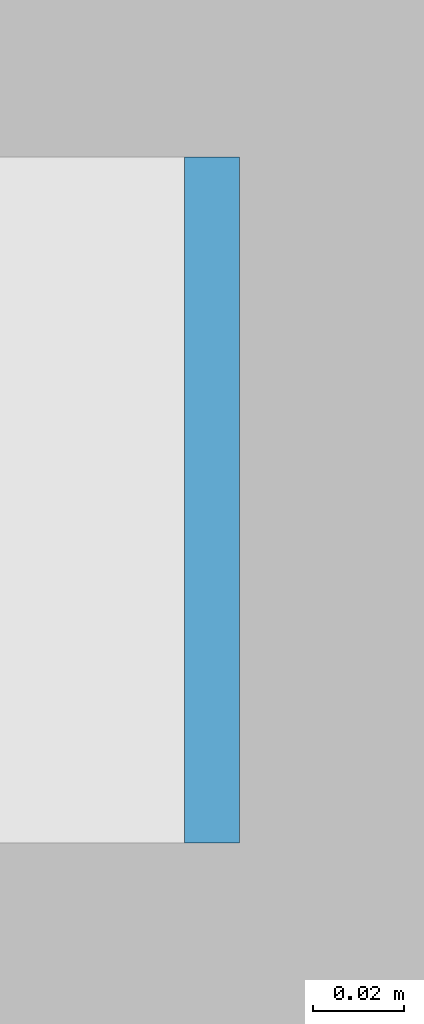
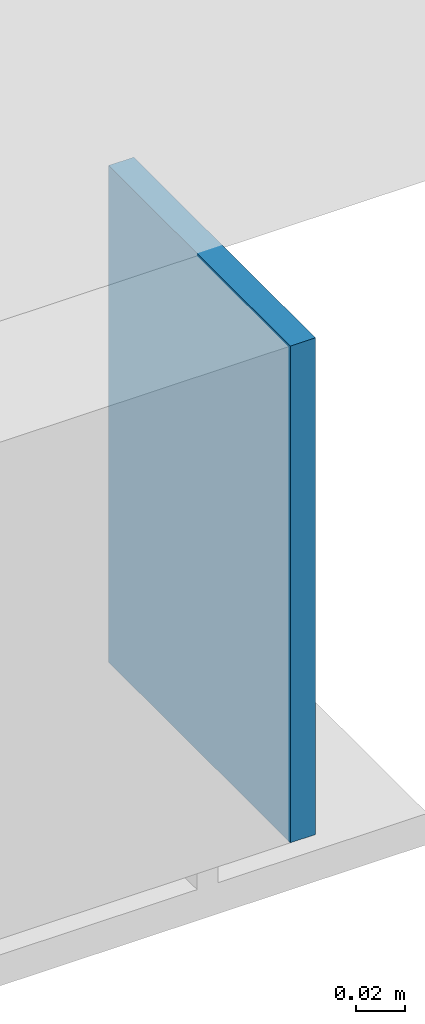
# One storey, part 69 of 98: 1 discrete accessory.
"""IFC4 building model written with IfcOpenShell, lengths in metres."""

from ifc_helpers import new_model, si_unit, direction, frame, origin, place, context, subcontext, project, spatial, polyline, outline, extrude, material, layer, layer_set, type_object, element, save


model = new_model("IFC4")

# Units and contexts
model_context = context("Model", 3, precision=1e-05, world=origin(), true_north=direction((0.0, 1.0)))
body_context = subcontext(model_context, "Body", "Model", "MODEL_VIEW")
ifc_project = project(units=[si_unit("LENGTHUNIT", "METRE"), si_unit("AREAUNIT", "SQUARE_METRE"), si_unit("VOLUMEUNIT", "CUBIC_METRE"), si_unit("PLANEANGLEUNIT", "RADIAN"), si_unit("MASSUNIT", "GRAM", prefix="KILO")], contexts=[model_context])

# Site, building, storey
site_placement = place(None, origin())
site = spatial("IfcSite", under=ifc_project, at=site_placement, CompositionType="ELEMENT")
building_placement = place(site_placement, origin())
building = spatial("IfcBuilding", under=site, at=building_placement, Name="Kisiwana Market Hall", CompositionType="ELEMENT")
storey_placement = place(building_placement, frame((0.0, 0.0, 29.39990234375)))
storey = spatial("IfcBuildingStorey", under=building, at=storey_placement, Name="L06", CompositionType="ELEMENT", Elevation=29.39990234375)

# Discrete accessory
ifc_material = material(Name="Steel S355", Category="steel")
ifc_layer = layer(ifc_material, 0.011962890625)
ifc_layer_set = layer_set([ifc_layer], Name="ACC-ENDCAP-STL")
discrete_accessory_type = type_object("IfcDiscreteAccessoryType", Name="ACC-ENDCAP-STL", PredefinedType="USERDEFINED", material=ifc_layer_set)
discrete_accessory_placement = place(storey_placement, frame((0.0, 0.0, -0.494873046875)))
element("IfcDiscreteAccessory", 1, at=discrete_accessory_placement, inside=storey, type_object=discrete_accessory_type, Name="End cap plate EC-0084", ObjectType="End cap plate", PredefinedType="USERDEFINED", context=body_context, shape_type="SweptSolid", body=[
    extrude(outline(polyline([(8.85400390625, 8.925048828125), (8.865966796875, 8.925048828125), (8.865966796875, 9.074951171875), (8.85400390625, 9.074951171875), (8.85400390625, 8.925048828125)])), origin(), (0.0, 0.0, 1.0), 0.25),
])

save(model, "model.ifc")
